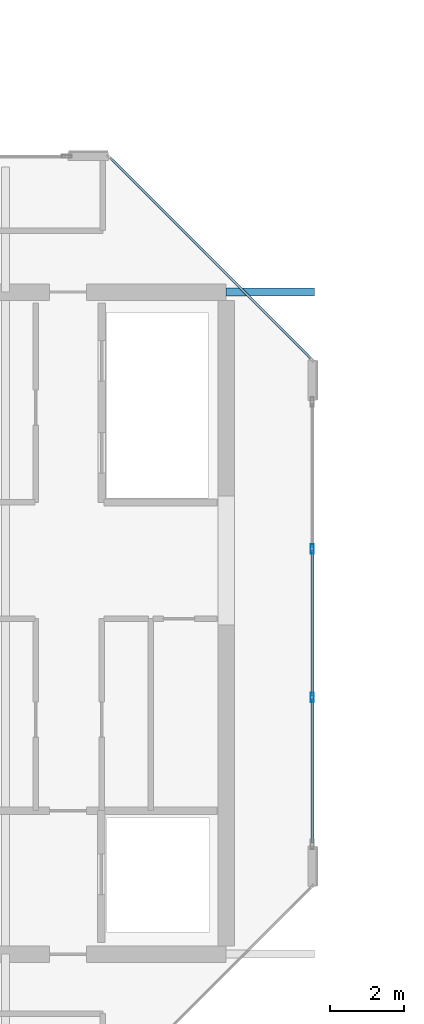
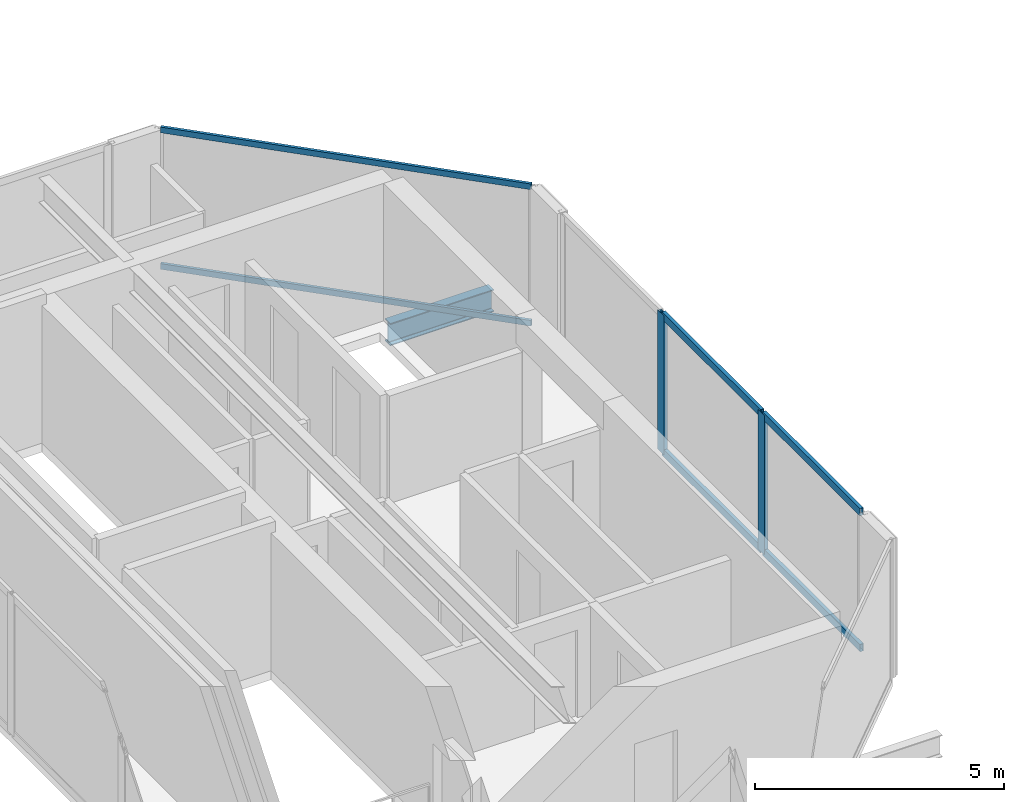
# One storey, part 6 of 28: 8 members, 1 beam, 2 elements without a shape of their own.
"""IFC4 building model written with IfcOpenShell, lengths in metres."""

from ifc_helpers import new_model, si_unit, direction, frame, origin, origin_2d, place, context, subcontext, project, spatial, hollow_rectangle, i_section, extrude, material, layer, layer_set, material_profile, profile_set, type_object, element, aggregate, save


model = new_model("IFC4")

# Units and contexts
model_context = context("Model", 3, precision=1e-05, world=origin(), true_north=direction((0.0, 1.0)))
body_context = subcontext(model_context, "Body", "Model", "MODEL_VIEW")
ifc_project = project(units=[si_unit("LENGTHUNIT", "METRE"), si_unit("AREAUNIT", "SQUARE_METRE"), si_unit("VOLUMEUNIT", "CUBIC_METRE"), si_unit("PLANEANGLEUNIT", "RADIAN"), si_unit("MASSUNIT", "GRAM", prefix="KILO")], contexts=[model_context])

# Site, building, storey
site_placement = place(None, origin())
site = spatial("IfcSite", under=ifc_project, at=site_placement, CompositionType="ELEMENT")
building_placement = place(site_placement, origin())
building = spatial("IfcBuilding", under=site, at=building_placement, Name="Tanjung Sevakor Pilgrim Tower", CompositionType="ELEMENT")
storey_placement = place(building_placement, frame((0.0, 0.0, 257.070068359375)))
storey = spatial("IfcBuildingStorey", under=building, at=storey_placement, Name="L72", CompositionType="ELEMENT", Elevation=257.070068359375)

# Beam
ifc_material_1 = material(Name="Steel S355J2", Category="steel")
ifc_material_profile_1 = material_profile(ifc_material_1, i_section(OverallWidth=0.2119140625, OverallDepth=0.54443359375, WebThickness=0.0126953125, FlangeThickness=0.021240234375, FilletRadius=0.0126953125, at=origin_2d()))
ifc_profile_set_1 = profile_set([ifc_material_profile_1], Name="Steel S355J2")
beam_type = type_object("IfcBeamType", Name="BM-B-G5-UB_533x210x122", PredefinedType="BEAM", material=ifc_profile_set_1)
beam_placement = place(storey_placement, frame((36.0, 42.60009765625, -0.4921875), z_axis=(1.0, 0.0, 0.0), x_axis=(0.0, 1.0, 0.0)))
element("IfcBeam", 1, at=beam_placement, inside=storey, type_object=beam_type, Name="L72 West Peak Cantilever Girder 2", PredefinedType="BEAM", context=body_context, shape_type="SweptSolid", body=[
    extrude(i_section(OverallWidth=0.2119140625, OverallDepth=0.54443359375, WebThickness=0.0126953125, FlangeThickness=0.021240234375, FilletRadius=0.0126953125, at=origin_2d()), origin(), (0.0, 0.0, 1.0), 2.39990234375),
])

# Curtain wall, members
ifc_material_2 = material(Name="Aluminium 6063-T6 and Low-E Glass", Category="aluminium")
ifc_layer_1 = layer(ifc_material_2, 0.199951171875)
ifc_layer_set_1 = layer_set([ifc_layer_1], Name="CW-SYS-CRNW")
curtain_wall_type_1 = type_object("IfcCurtainWallType", Name="CW-SYS-CRNW", PredefinedType="NOTDEFINED", material=ifc_layer_set_1)
curtain_wall_1_placement = place(storey_placement, origin())
curtain_wall_1 = element("IfcCurtainWall", 2, at=curtain_wall_1_placement, inside=storey, type_object=curtain_wall_type_1, Name="L72 Curtain Wall CW-CRN-L72-WEST-2-1", PredefinedType="NOTDEFINED")
ifc_material_3 = material(Name="Aluminium 6063-T6", Category="aluminium")
ifc_material_profile_2 = material_profile(ifc_material_3, hollow_rectangle(XDim=0.080078125, YDim=0.260009765625, WallThickness=0.0048828125, at=origin_2d()))
ifc_profile_set_2 = profile_set([ifc_material_profile_2], Name="Aluminium 6063-T6")
member_type_1 = type_object("IfcMemberType", Name="TYPE-CWM-3", PredefinedType="MULLION", material=ifc_profile_set_2)
member_1_placement = place(storey_placement, frame((38.340087890625, 31.581787109375, 0.0), z_axis=(0.0, 0.0, 1.0), x_axis=(-1.0, 0.0, 0.0)))
member_1 = element("IfcMember", 3, at=member_1_placement, type_object=member_type_1, Name="CW-CRW mullion 2", PredefinedType="MULLION", context=body_context, shape_type="SweptSolid", body=[
    extrude(hollow_rectangle(XDim=0.080078125, YDim=0.260009765625, WallThickness=0.0048828125, at=origin_2d()), origin(), (0.0, 0.0, 1.0), 3.409912109375),
])
member_2_placement = place(storey_placement, frame((38.340087890625, 35.6181640625, 0.0), z_axis=(0.0, 0.0, 1.0), x_axis=(-1.0, 0.0, 0.0)))
member_2 = element("IfcMember", 4, at=member_2_placement, type_object=member_type_1, Name="CW-CRW mullion 3", PredefinedType="MULLION", context=body_context, shape_type="SweptSolid", body=[
    extrude(hollow_rectangle(XDim=0.080078125, YDim=0.260009765625, WallThickness=0.0048828125, at=origin_2d()), origin(), (0.0, 0.0, 1.0), 3.409912109375),
])

ifc_material_4 = material(Name="Aluminium 6063-T6 and Low-E Glass", Category="aluminium")
ifc_layer_2 = layer(ifc_material_4, 0.179931640625)
ifc_layer_set_2 = layer_set([ifc_layer_2], Name="CW-SYS-CHAM")
curtain_wall_type_2 = type_object("IfcCurtainWallType", Name="CW-SYS-CHAM", PredefinedType="NOTDEFINED", material=ifc_layer_set_2)
curtain_wall_2_placement = place(storey_placement, origin())
curtain_wall_2 = element("IfcCurtainWall", 5, at=curtain_wall_2_placement, inside=storey, type_object=curtain_wall_type_2, Name="L72 Curtain Wall CW-CHM-L72-WEST-3", PredefinedType="NOTDEFINED")
ifc_material_5 = material(Name="Aluminium 6063-T6", Category="aluminium")
ifc_material_profile_3 = material_profile(ifc_material_5, hollow_rectangle(XDim=0.06494140625, YDim=0.139892578125, WallThickness=0.00390625, at=origin_2d()))
ifc_profile_set_3 = profile_set([ifc_material_profile_3], Name="Aluminium 6063-T6")
member_type_2 = type_object("IfcMemberType", Name="TYPE-CWT-1", PredefinedType="USERDEFINED", material=ifc_profile_set_3)
member_3_placement = place(storey_placement, frame((38.2939453125, 40.80029296875, 0.032470703125), z_axis=(-0.707090924819, 0.707122637198, 0.0), x_axis=(-0.707122637198, -0.707090924819, 0.0)))
member_3 = element("IfcMember", 6, at=member_3_placement, type_object=member_type_2, Name="CW-CHM transom 1.1", ObjectType="TRANSOM", PredefinedType="USERDEFINED", context=body_context, shape_type="SweptSolid", body=[
    extrude(hollow_rectangle(XDim=0.06494140625, YDim=0.139892578125, WallThickness=0.00390625, at=origin_2d()), origin(), (0.0, 0.0, 1.0), 7.698486328125),
])
member_4_placement = place(storey_placement, frame((38.2939453125, 40.80029296875, 3.37744140625), z_axis=(-0.707090924819, 0.707122637198, 0.0), x_axis=(-0.707122637198, -0.707090924819, 0.0)))
member_4 = element("IfcMember", 7, at=member_4_placement, type_object=member_type_2, Name="CW-CHM transom 1.2", ObjectType="TRANSOM", PredefinedType="USERDEFINED", context=body_context, shape_type="SweptSolid", body=[
    extrude(hollow_rectangle(XDim=0.06494140625, YDim=0.139892578125, WallThickness=0.00390625, at=origin_2d()), origin(), (0.0, 0.0, 1.0), 7.698486328125),
])
aggregate(curtain_wall_2, [member_3, member_4])

# Member
ifc_material_6 = material(Name="Aluminium 6063-T6", Category="aluminium")
ifc_material_profile_4 = material_profile(ifc_material_6, hollow_rectangle(XDim=0.080078125, YDim=0.179931640625, WallThickness=0.0048828125, at=origin_2d()))
ifc_profile_set_4 = profile_set([ifc_material_profile_4], Name="Aluminium 6063-T6")
member_type_3 = type_object("IfcMemberType", Name="TYPE-CWT-3", PredefinedType="USERDEFINED", material=ifc_profile_set_4)
member_5_placement = place(storey_placement, frame((38.340087890625, 27.62548828125, 0.0400390625), z_axis=(0.0, 1.0, 0.0), x_axis=(-1.0, 0.0, 0.0)))
member_5 = element("IfcMember", 8, at=member_5_placement, type_object=member_type_3, Name="CW-CRW transom 1.1", ObjectType="TRANSOM", PredefinedType="USERDEFINED", context=body_context, shape_type="SweptSolid", body=[
    extrude(hollow_rectangle(XDim=0.080078125, YDim=0.179931640625, WallThickness=0.0048828125, at=origin_2d()), origin(), (0.0, 0.0, 1.0), 3.916259765625),
])

member_6_placement = place(storey_placement, frame((38.340087890625, 27.62548828125, 3.369873046875), z_axis=(0.0, 1.0, 0.0), x_axis=(-1.0, 0.0, 0.0)))
member_6 = element("IfcMember", 9, at=member_6_placement, type_object=member_type_3, Name="CW-CRW transom 1.2", ObjectType="TRANSOM", PredefinedType="USERDEFINED", context=body_context, shape_type="SweptSolid", body=[
    extrude(hollow_rectangle(XDim=0.080078125, YDim=0.179931640625, WallThickness=0.0048828125, at=origin_2d()), origin(), (0.0, 0.0, 1.0), 3.916259765625),
])

member_7_placement = place(storey_placement, frame((38.340087890625, 31.621826171875, 0.0400390625), z_axis=(0.0, 1.0, 0.0), x_axis=(-1.0, 0.0, 0.0)))
member_7 = element("IfcMember", 10, at=member_7_placement, type_object=member_type_3, Name="CW-CRW transom 2.1", ObjectType="TRANSOM", PredefinedType="USERDEFINED", context=body_context, shape_type="SweptSolid", body=[
    extrude(hollow_rectangle(XDim=0.080078125, YDim=0.179931640625, WallThickness=0.0048828125, at=origin_2d()), origin(), (0.0, 0.0, 1.0), 3.956298828125),
])

member_8_placement = place(storey_placement, frame((38.340087890625, 31.621826171875, 3.369873046875), z_axis=(0.0, 1.0, 0.0), x_axis=(-1.0, 0.0, 0.0)))
member_8 = element("IfcMember", 11, at=member_8_placement, type_object=member_type_3, Name="CW-CRW transom 2.2", ObjectType="TRANSOM", PredefinedType="USERDEFINED", context=body_context, shape_type="SweptSolid", body=[
    extrude(hollow_rectangle(XDim=0.080078125, YDim=0.179931640625, WallThickness=0.0048828125, at=origin_2d()), origin(), (0.0, 0.0, 1.0), 3.956298828125),
])

aggregate(curtain_wall_1, [member_1, member_2, member_5, member_6, member_7, member_8])

save(model, "model.ifc")
